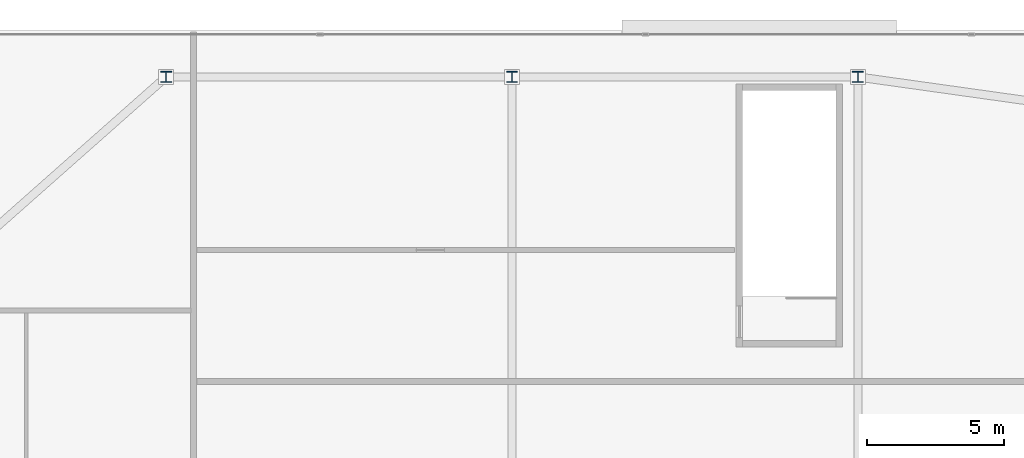
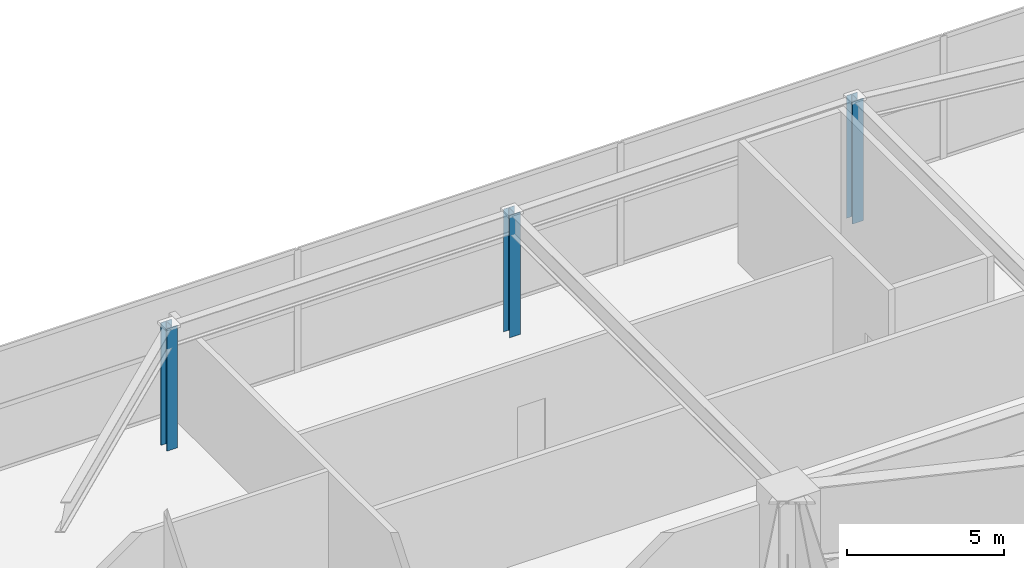
# One storey, part 2 of 36: 3 columns.
"""IFC4 building model written with IfcOpenShell, lengths in metres."""

from ifc_helpers import new_model, si_unit, direction, frame, origin, origin_2d, place, context, subcontext, project, spatial, i_section, extrude, material, material_profile, profile_set, type_object, element, save


model = new_model("IFC4")

# Units and contexts
model_context = context("Model", 3, precision=1e-05, world=origin(), true_north=direction((0.0, 1.0)))
body_context = subcontext(model_context, "Body", "Model", "MODEL_VIEW")
ifc_project = project(units=[si_unit("LENGTHUNIT", "METRE"), si_unit("AREAUNIT", "SQUARE_METRE"), si_unit("VOLUMEUNIT", "CUBIC_METRE"), si_unit("PLANEANGLEUNIT", "RADIAN"), si_unit("MASSUNIT", "GRAM", prefix="KILO")], contexts=[model_context])

# Site, building, storey
site_placement = place(None, origin())
site = spatial("IfcSite", under=ifc_project, at=site_placement, CompositionType="ELEMENT")
building_placement = place(site_placement, origin())
building = spatial("IfcBuilding", under=site, at=building_placement, Name="Calvorn Quay Hotel", CompositionType="ELEMENT")
storey_placement = place(building_placement, frame((0.0, 0.0, 22.0)))
storey = spatial("IfcBuildingStorey", under=building, at=storey_placement, Name="L04", CompositionType="ELEMENT", Elevation=22.0)

# Columns
ifc_material = material(Name="Steel Q420GJC", Category="steel")
ifc_material_profile = material_profile(ifc_material, i_section(OverallWidth=0.39990234375, OverallDepth=0.39990234375, WebThickness=0.012939453125, FlangeThickness=0.02099609375, FilletRadius=0.02197265625, at=origin_2d()), Name="HW400x400x13x21")
ifc_profile_set = profile_set([ifc_material_profile], Name="Steel Q420GJC")
column_type = type_object("IfcColumnType", Name="COL-STL-POD-PIL", PredefinedType="PILASTER", material=ifc_profile_set)
for number, where, z_axis, x_axis, name in (
    (1, (32.39990234375, 53.800048828125, 0.0), (0.0, 0.0, 1.0), (1.0, 0.0, 0.0), "Column C-PN3 (L04)"),
    (2, (45.0, 53.800048828125, 0.0), (0.0, 0.0, 1.0), (1.0, 0.0, 0.0), "Column C-PN4 (L04)"),
    (3, (57.60009765625, 53.800048828125, 0.0), (0.0, 0.0, 1.0), (1.0, 0.0, 0.0), "Column C-PN5 (L04)"),
):
    element("IfcColumn", number, at=place(storey_placement, frame(where, z_axis=z_axis, x_axis=x_axis)), inside=storey, type_object=column_type, Name=name, PredefinedType="PILASTER", context=body_context, shape_type="SweptSolid", body=[
        extrude(i_section(OverallWidth=0.39990234375, OverallDepth=0.39990234375, WebThickness=0.012939453125, FlangeThickness=0.02099609375, FilletRadius=0.02197265625, at=origin_2d()), origin(), (0.0, 0.0, 1.0), 4.760009765625),
    ])

save(model, "model.ifc")
